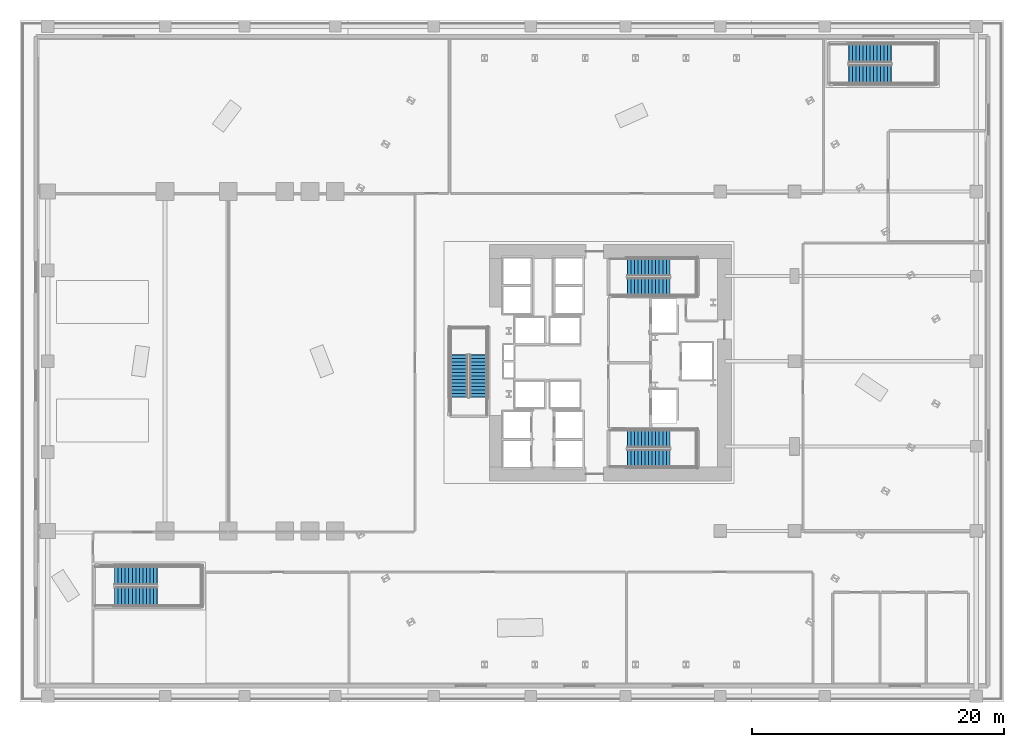
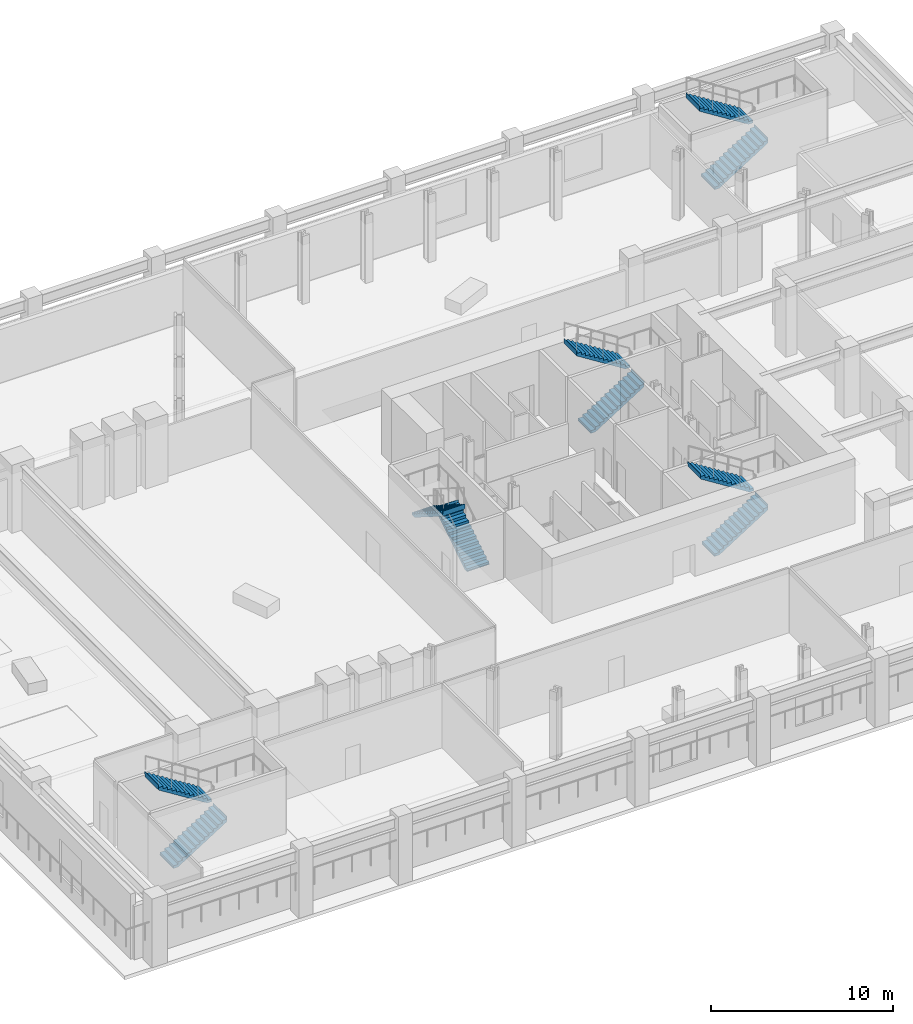
# One storey, part 8 of 18: 10 stair flights, 5 elements without a shape of their own.
"""IFC4 building model written with IfcOpenShell, lengths in metres."""

from ifc_helpers import new_model, si_unit, direction, frame, origin, place, context, subcontext, project, spatial, polyline, outline, extrude, material, type_object, element, aggregate, save


model = new_model("IFC4")

# Units and contexts
model_context = context("Model", 3, precision=1e-05, world=origin(), true_north=direction((0.0, 1.0)))
body_context = subcontext(model_context, "Body", "Model", "MODEL_VIEW")
ifc_project = project(units=[si_unit("LENGTHUNIT", "METRE"), si_unit("AREAUNIT", "SQUARE_METRE"), si_unit("VOLUMEUNIT", "CUBIC_METRE"), si_unit("PLANEANGLEUNIT", "RADIAN"), si_unit("MASSUNIT", "GRAM", prefix="KILO")], contexts=[model_context])

# Site, building, storey
site_placement = place(None, origin())
site = spatial("IfcSite", under=ifc_project, at=site_placement, CompositionType="ELEMENT")
building_placement = place(site_placement, origin())
building = spatial("IfcBuilding", under=site, at=building_placement, Name="Valkerne Bourse Tower", CompositionType="ELEMENT")
storey_placement = place(building_placement, frame((0.0, 0.0, 10.199951171875)))
storey = spatial("IfcBuildingStorey", under=building, at=storey_placement, Name="L02", CompositionType="ELEMENT", Elevation=10.199951171875)

# Stair, stair flights
ifc_material = material(Name="Concrete C40/50", Category="concrete")
stair_type_1 = type_object("IfcStairType", Name="ST-CORE-1400", PredefinedType="HALF_TURN_STAIR", material=ifc_material)
stair_1_placement = place(storey_placement, origin())
stair_1 = element("IfcStair", 1, at=stair_1_placement, inside=storey, type_object=stair_type_1, Name="L02 ST-1", PredefinedType="HALF_TURN_STAIR")
stair_flight_type_1 = type_object("IfcStairFlightType", Name="STF-CORE-1400", PredefinedType="STRAIGHT", material=ifc_material)
stair_flight_1_placement = place(storey_placement, frame((48.14990234375, 19.300048828125, 0.0), z_axis=(0.0, 0.0, 1.0), x_axis=(1.0, 0.0, 0.0)))
stair_flight_1 = element("IfcStairFlight", 2, at=stair_flight_1_placement, type_object=stair_flight_type_1, Name="ST-1 flight 1", NumberOfRisers=13, NumberOfTreads=12, PredefinedType="STRAIGHT", RiserHeight=0.176923077, TreadLength=0.28, context=body_context, shape_type="SweptSolid", body=[
    extrude(outline(polyline([(-0.02001953125, 0.0), (-0.02001953125, 0.044921875), (0.0, 0.044921875), (0.0, 0.177001953125), (0.280029296875, 0.177001953125), (0.280029296875, 0.353759765625), (0.56005859375, 0.353759765625), (0.56005859375, 0.53076171875), (0.840087890625, 0.53076171875), (0.840087890625, 0.707763671875), (1.1201171875, 0.707763671875), (1.1201171875, 0.884521484375), (1.39990234375, 0.884521484375), (1.39990234375, 1.0615234375), (1.679931640625, 1.0615234375), (1.679931640625, 1.238525390625), (1.9599609375, 1.238525390625), (1.9599609375, 1.415283203125), (2.239990234375, 1.415283203125), (2.239990234375, 1.59228515625), (2.52001953125, 1.59228515625), (2.52001953125, 1.769287109375), (2.800048828125, 1.769287109375), (2.800048828125, 1.946044921875), (3.080078125, 1.946044921875), (3.080078125, 2.123046875), (3.360107421875, 2.123046875), (3.360107421875, 2.300048828125), (3.3798828125, 2.300048828125), (3.3798828125, 2.179931640625), (3.360107421875, 1.94580078125), (0.280517578125, 0.0), (-0.02001953125, 0.0)])), frame((0.0, 0.699951171875, 0.0), z_axis=(0.0, -1.0, 0.0), x_axis=(1.0, 0.0, 0.0)), (0.0, 0.0, 1.0), 1.39990234375),
])
stair_flight_2_placement = place(storey_placement, frame((51.510009765625, 20.85009765625, 2.300048828125), z_axis=(0.0, 0.0, 1.0), x_axis=(-1.0, 0.0, 0.0)))
stair_flight_2 = element("IfcStairFlight", 3, at=stair_flight_2_placement, type_object=stair_flight_type_1, Name="ST-1 flight 2", NumberOfRisers=13, NumberOfTreads=12, PredefinedType="STRAIGHT", RiserHeight=0.176923077, TreadLength=0.28, context=body_context, shape_type="SweptSolid", body=[
    extrude(outline(polyline([(-0.02001953125, 0.0), (-0.02001953125, 0.044921875), (0.0, 0.044921875), (0.0, 0.177001953125), (0.280029296875, 0.177001953125), (0.280029296875, 0.353759765625), (0.56005859375, 0.353759765625), (0.56005859375, 0.53076171875), (0.840087890625, 0.53076171875), (0.840087890625, 0.707763671875), (1.1201171875, 0.707763671875), (1.1201171875, 0.884521484375), (1.39990234375, 0.884521484375), (1.39990234375, 1.0615234375), (1.679931640625, 1.0615234375), (1.679931640625, 1.238525390625), (1.9599609375, 1.238525390625), (1.9599609375, 1.415283203125), (2.239990234375, 1.415283203125), (2.239990234375, 1.59228515625), (2.52001953125, 1.59228515625), (2.52001953125, 1.769287109375), (2.800048828125, 1.769287109375), (2.800048828125, 1.946044921875), (3.080078125, 1.946044921875), (3.080078125, 2.123046875), (3.360107421875, 2.123046875), (3.360107421875, 2.300048828125), (3.3798828125, 2.300048828125), (3.3798828125, 2.179931640625), (3.360107421875, 1.94580078125), (0.280517578125, 0.0), (-0.02001953125, 0.0)])), frame((0.0, 0.699951171875, 0.0), z_axis=(0.0, -1.0, 0.0), x_axis=(1.0, 0.0, 0.0)), (0.0, 0.0, 1.0), 1.39990234375),
])
aggregate(stair_1, [stair_flight_1, stair_flight_2])

stair_2_placement = place(storey_placement, origin())
stair_2 = element("IfcStair", 4, at=stair_2_placement, inside=storey, type_object=stair_type_1, Name="L02 ST-2", PredefinedType="HALF_TURN_STAIR")
stair_flight_3_placement = place(storey_placement, frame((48.14990234375, 32.89990234375, 0.0), z_axis=(0.0, 0.0, 1.0), x_axis=(1.0, 0.0, 0.0)))
stair_flight_3 = element("IfcStairFlight", 5, at=stair_flight_3_placement, type_object=stair_flight_type_1, Name="ST-2 flight 1", NumberOfRisers=13, NumberOfTreads=12, PredefinedType="STRAIGHT", RiserHeight=0.176923077, TreadLength=0.28, context=body_context, shape_type="SweptSolid", body=[
    extrude(outline(polyline([(-0.02001953125, 0.0), (-0.02001953125, 0.044921875), (0.0, 0.044921875), (0.0, 0.177001953125), (0.280029296875, 0.177001953125), (0.280029296875, 0.353759765625), (0.56005859375, 0.353759765625), (0.56005859375, 0.53076171875), (0.840087890625, 0.53076171875), (0.840087890625, 0.707763671875), (1.1201171875, 0.707763671875), (1.1201171875, 0.884521484375), (1.39990234375, 0.884521484375), (1.39990234375, 1.0615234375), (1.679931640625, 1.0615234375), (1.679931640625, 1.238525390625), (1.9599609375, 1.238525390625), (1.9599609375, 1.415283203125), (2.239990234375, 1.415283203125), (2.239990234375, 1.59228515625), (2.52001953125, 1.59228515625), (2.52001953125, 1.769287109375), (2.800048828125, 1.769287109375), (2.800048828125, 1.946044921875), (3.080078125, 1.946044921875), (3.080078125, 2.123046875), (3.360107421875, 2.123046875), (3.360107421875, 2.300048828125), (3.3798828125, 2.300048828125), (3.3798828125, 2.179931640625), (3.360107421875, 1.94580078125), (0.280517578125, 0.0), (-0.02001953125, 0.0)])), frame((0.0, 0.699951171875, 0.0), z_axis=(0.0, -1.0, 0.0), x_axis=(1.0, 0.0, 0.0)), (0.0, 0.0, 1.0), 1.39990234375),
])
stair_flight_4_placement = place(storey_placement, frame((51.510009765625, 34.449951171875, 2.300048828125), z_axis=(0.0, 0.0, 1.0), x_axis=(-1.0, 0.0, 0.0)))
stair_flight_4 = element("IfcStairFlight", 6, at=stair_flight_4_placement, type_object=stair_flight_type_1, Name="ST-2 flight 2", NumberOfRisers=13, NumberOfTreads=12, PredefinedType="STRAIGHT", RiserHeight=0.176923077, TreadLength=0.28, context=body_context, shape_type="SweptSolid", body=[
    extrude(outline(polyline([(-0.02001953125, 0.0), (-0.02001953125, 0.044921875), (0.0, 0.044921875), (0.0, 0.177001953125), (0.280029296875, 0.177001953125), (0.280029296875, 0.353759765625), (0.56005859375, 0.353759765625), (0.56005859375, 0.53076171875), (0.840087890625, 0.53076171875), (0.840087890625, 0.707763671875), (1.1201171875, 0.707763671875), (1.1201171875, 0.884521484375), (1.39990234375, 0.884521484375), (1.39990234375, 1.0615234375), (1.679931640625, 1.0615234375), (1.679931640625, 1.238525390625), (1.9599609375, 1.238525390625), (1.9599609375, 1.415283203125), (2.239990234375, 1.415283203125), (2.239990234375, 1.59228515625), (2.52001953125, 1.59228515625), (2.52001953125, 1.769287109375), (2.800048828125, 1.769287109375), (2.800048828125, 1.946044921875), (3.080078125, 1.946044921875), (3.080078125, 2.123046875), (3.360107421875, 2.123046875), (3.360107421875, 2.300048828125), (3.3798828125, 2.300048828125), (3.3798828125, 2.179931640625), (3.360107421875, 1.94580078125), (0.280517578125, 0.0), (-0.02001953125, 0.0)])), frame((0.0, 0.699951171875, 0.0), z_axis=(0.0, -1.0, 0.0), x_axis=(1.0, 0.0, 0.0)), (0.0, 0.0, 1.0), 1.39990234375),
])
aggregate(stair_2, [stair_flight_3, stair_flight_4])

stair_3_placement = place(storey_placement, origin())
stair_3 = element("IfcStair", 7, at=stair_3_placement, inside=storey, type_object=stair_type_1, Name="L02 ST-3", PredefinedType="HALF_TURN_STAIR")
stair_flight_5_placement = place(storey_placement, frame((36.35009765625, 24.14990234375, 0.0), z_axis=(0.0, 0.0, 1.0), x_axis=(0.0, 1.0, 0.0)))
stair_flight_5 = element("IfcStairFlight", 8, at=stair_flight_5_placement, type_object=stair_flight_type_1, Name="ST-3 flight 1", NumberOfRisers=13, NumberOfTreads=12, PredefinedType="STRAIGHT", RiserHeight=0.176923077, TreadLength=0.28, context=body_context, shape_type="SweptSolid", body=[
    extrude(outline(polyline([(-0.02001953125, 0.0), (-0.02001953125, 0.044921875), (0.0, 0.044921875), (0.0, 0.177001953125), (0.280029296875, 0.177001953125), (0.280029296875, 0.353759765625), (0.56005859375, 0.353759765625), (0.56005859375, 0.53076171875), (0.840087890625, 0.53076171875), (0.840087890625, 0.707763671875), (1.1201171875, 0.707763671875), (1.1201171875, 0.884521484375), (1.39990234375, 0.884521484375), (1.39990234375, 1.0615234375), (1.679931640625, 1.0615234375), (1.679931640625, 1.238525390625), (1.9599609375, 1.238525390625), (1.9599609375, 1.415283203125), (2.239990234375, 1.415283203125), (2.239990234375, 1.59228515625), (2.52001953125, 1.59228515625), (2.52001953125, 1.769287109375), (2.800048828125, 1.769287109375), (2.800048828125, 1.946044921875), (3.080078125, 1.946044921875), (3.080078125, 2.123046875), (3.360107421875, 2.123046875), (3.360107421875, 2.300048828125), (3.3798828125, 2.300048828125), (3.3798828125, 2.179931640625), (3.360107421875, 1.94580078125), (0.280517578125, 0.0), (-0.02001953125, 0.0)])), frame((0.0, 0.699951171875, 0.0), z_axis=(0.0, -1.0, 0.0), x_axis=(1.0, 0.0, 0.0)), (0.0, 0.0, 1.0), 1.39990234375),
])
stair_flight_6_placement = place(storey_placement, frame((34.800048828125, 27.510009765625, 2.300048828125), z_axis=(0.0, 0.0, 1.0), x_axis=(0.0, -1.0, 0.0)))
stair_flight_6 = element("IfcStairFlight", 9, at=stair_flight_6_placement, type_object=stair_flight_type_1, Name="ST-3 flight 2", NumberOfRisers=13, NumberOfTreads=12, PredefinedType="STRAIGHT", RiserHeight=0.176923077, TreadLength=0.28, context=body_context, shape_type="SweptSolid", body=[
    extrude(outline(polyline([(-0.02001953125, 0.0), (-0.02001953125, 0.044921875), (0.0, 0.044921875), (0.0, 0.177001953125), (0.280029296875, 0.177001953125), (0.280029296875, 0.353759765625), (0.56005859375, 0.353759765625), (0.56005859375, 0.53076171875), (0.840087890625, 0.53076171875), (0.840087890625, 0.707763671875), (1.1201171875, 0.707763671875), (1.1201171875, 0.884521484375), (1.39990234375, 0.884521484375), (1.39990234375, 1.0615234375), (1.679931640625, 1.0615234375), (1.679931640625, 1.238525390625), (1.9599609375, 1.238525390625), (1.9599609375, 1.415283203125), (2.239990234375, 1.415283203125), (2.239990234375, 1.59228515625), (2.52001953125, 1.59228515625), (2.52001953125, 1.769287109375), (2.800048828125, 1.769287109375), (2.800048828125, 1.946044921875), (3.080078125, 1.946044921875), (3.080078125, 2.123046875), (3.360107421875, 2.123046875), (3.360107421875, 2.300048828125), (3.3798828125, 2.300048828125), (3.3798828125, 2.179931640625), (3.360107421875, 1.94580078125), (0.280517578125, 0.0), (-0.02001953125, 0.0)])), frame((0.0, 0.699951171875, 0.0), z_axis=(0.0, -1.0, 0.0), x_axis=(1.0, 0.0, 0.0)), (0.0, 0.0, 1.0), 1.39990234375),
])
aggregate(stair_3, [stair_flight_5, stair_flight_6])

stair_type_2 = type_object("IfcStairType", Name="ST-POD-1500", PredefinedType="HALF_TURN_STAIR", material=ifc_material)
stair_4_placement = place(storey_placement, origin())
stair_4 = element("IfcStair", 10, at=stair_4_placement, inside=storey, type_object=stair_type_2, Name="L02 ST-P1", PredefinedType="HALF_TURN_STAIR")
stair_flight_type_2 = type_object("IfcStairFlightType", Name="STF-POD-1500", PredefinedType="STRAIGHT", material=ifc_material)
stair_flight_7_placement = place(storey_placement, frame((7.5, 8.35009765625, 0.0), z_axis=(0.0, 0.0, 1.0), x_axis=(1.0, 0.0, 0.0)))
stair_flight_7 = element("IfcStairFlight", 11, at=stair_flight_7_placement, type_object=stair_flight_type_2, Name="ST-P1 flight 1", NumberOfRisers=13, NumberOfTreads=12, PredefinedType="STRAIGHT", RiserHeight=0.176923077, TreadLength=0.28, context=body_context, shape_type="SweptSolid", body=[
    extrude(outline(polyline([(-0.02001953125, 0.0), (-0.02001953125, 0.044921875), (0.0, 0.044921875), (0.0, 0.177001953125), (0.280029296875, 0.177001953125), (0.280029296875, 0.353759765625), (0.56005859375, 0.353759765625), (0.56005859375, 0.53076171875), (0.840087890625, 0.53076171875), (0.840087890625, 0.707763671875), (1.1201171875, 0.707763671875), (1.1201171875, 0.884521484375), (1.39990234375, 0.884521484375), (1.39990234375, 1.0615234375), (1.679931640625, 1.0615234375), (1.679931640625, 1.238525390625), (1.9599609375, 1.238525390625), (1.9599609375, 1.415283203125), (2.239990234375, 1.415283203125), (2.239990234375, 1.59228515625), (2.52001953125, 1.59228515625), (2.52001953125, 1.769287109375), (2.800048828125, 1.769287109375), (2.800048828125, 1.946044921875), (3.080078125, 1.946044921875), (3.080078125, 2.123046875), (3.360107421875, 2.123046875), (3.360107421875, 2.300048828125), (3.3798828125, 2.300048828125), (3.3798828125, 2.179931640625), (3.360107421875, 1.94580078125), (0.280517578125, 0.0), (-0.02001953125, 0.0)])), frame((0.0, 0.75, 0.0), z_axis=(0.0, -1.0, 0.0), x_axis=(1.0, 0.0, 0.0)), (0.0, 0.0, 1.0), 1.5),
])
stair_flight_8_placement = place(storey_placement, frame((10.860107421875, 10.0, 2.300048828125), z_axis=(0.0, 0.0, 1.0), x_axis=(-1.0, 0.0, 0.0)))
stair_flight_8 = element("IfcStairFlight", 12, at=stair_flight_8_placement, type_object=stair_flight_type_2, Name="ST-P1 flight 2", NumberOfRisers=13, NumberOfTreads=12, PredefinedType="STRAIGHT", RiserHeight=0.176923077, TreadLength=0.28, context=body_context, shape_type="SweptSolid", body=[
    extrude(outline(polyline([(-0.02001953125, 0.0), (-0.02001953125, 0.044921875), (0.0, 0.044921875), (0.0, 0.177001953125), (0.280029296875, 0.177001953125), (0.280029296875, 0.353759765625), (0.56005859375, 0.353759765625), (0.56005859375, 0.53076171875), (0.840087890625, 0.53076171875), (0.840087890625, 0.707763671875), (1.1201171875, 0.707763671875), (1.1201171875, 0.884521484375), (1.39990234375, 0.884521484375), (1.39990234375, 1.0615234375), (1.679931640625, 1.0615234375), (1.679931640625, 1.238525390625), (1.9599609375, 1.238525390625), (1.9599609375, 1.415283203125), (2.239990234375, 1.415283203125), (2.239990234375, 1.59228515625), (2.52001953125, 1.59228515625), (2.52001953125, 1.769287109375), (2.800048828125, 1.769287109375), (2.800048828125, 1.946044921875), (3.080078125, 1.946044921875), (3.080078125, 2.123046875), (3.360107421875, 2.123046875), (3.360107421875, 2.300048828125), (3.3798828125, 2.300048828125), (3.3798828125, 2.179931640625), (3.360107421875, 1.94580078125), (0.280517578125, 0.0), (-0.02001953125, 0.0)])), frame((0.0, 0.75, 0.0), z_axis=(0.0, -1.0, 0.0), x_axis=(1.0, 0.0, 0.0)), (0.0, 0.0, 1.0), 1.5),
])
aggregate(stair_4, [stair_flight_7, stair_flight_8])

stair_5_placement = place(storey_placement, origin())
stair_5 = element("IfcStair", 13, at=stair_5_placement, inside=storey, type_object=stair_type_2, Name="L02 ST-P2", PredefinedType="HALF_TURN_STAIR")
stair_flight_9_placement = place(storey_placement, frame((65.699951171875, 49.75, 0.0), z_axis=(0.0, 0.0, 1.0), x_axis=(1.0, 0.0, 0.0)))
stair_flight_9 = element("IfcStairFlight", 14, at=stair_flight_9_placement, type_object=stair_flight_type_2, Name="ST-P2 flight 1", NumberOfRisers=13, NumberOfTreads=12, PredefinedType="STRAIGHT", RiserHeight=0.176923077, TreadLength=0.28, context=body_context, shape_type="SweptSolid", body=[
    extrude(outline(polyline([(-0.02001953125, 0.0), (-0.02001953125, 0.044921875), (0.0, 0.044921875), (0.0, 0.177001953125), (0.280029296875, 0.177001953125), (0.280029296875, 0.353759765625), (0.56005859375, 0.353759765625), (0.56005859375, 0.53076171875), (0.840087890625, 0.53076171875), (0.840087890625, 0.707763671875), (1.1201171875, 0.707763671875), (1.1201171875, 0.884521484375), (1.39990234375, 0.884521484375), (1.39990234375, 1.0615234375), (1.679931640625, 1.0615234375), (1.679931640625, 1.238525390625), (1.9599609375, 1.238525390625), (1.9599609375, 1.415283203125), (2.239990234375, 1.415283203125), (2.239990234375, 1.59228515625), (2.52001953125, 1.59228515625), (2.52001953125, 1.769287109375), (2.800048828125, 1.769287109375), (2.800048828125, 1.946044921875), (3.080078125, 1.946044921875), (3.080078125, 2.123046875), (3.360107421875, 2.123046875), (3.360107421875, 2.300048828125), (3.3798828125, 2.300048828125), (3.3798828125, 2.179931640625), (3.360107421875, 1.94580078125), (0.280517578125, 0.0), (-0.02001953125, 0.0)])), frame((0.0, 0.75, 0.0), z_axis=(0.0, -1.0, 0.0), x_axis=(1.0, 0.0, 0.0)), (0.0, 0.0, 1.0), 1.5),
])
stair_flight_10_placement = place(storey_placement, frame((69.06005859375, 51.39990234375, 2.300048828125), z_axis=(0.0, 0.0, 1.0), x_axis=(-1.0, 0.0, 0.0)))
stair_flight_10 = element("IfcStairFlight", 15, at=stair_flight_10_placement, type_object=stair_flight_type_2, Name="ST-P2 flight 2", NumberOfRisers=13, NumberOfTreads=12, PredefinedType="STRAIGHT", RiserHeight=0.176923077, TreadLength=0.28, context=body_context, shape_type="SweptSolid", body=[
    extrude(outline(polyline([(-0.02001953125, 0.0), (-0.02001953125, 0.044921875), (0.0, 0.044921875), (0.0, 0.177001953125), (0.280029296875, 0.177001953125), (0.280029296875, 0.353759765625), (0.56005859375, 0.353759765625), (0.56005859375, 0.53076171875), (0.840087890625, 0.53076171875), (0.840087890625, 0.707763671875), (1.1201171875, 0.707763671875), (1.1201171875, 0.884521484375), (1.39990234375, 0.884521484375), (1.39990234375, 1.0615234375), (1.679931640625, 1.0615234375), (1.679931640625, 1.238525390625), (1.9599609375, 1.238525390625), (1.9599609375, 1.415283203125), (2.239990234375, 1.415283203125), (2.239990234375, 1.59228515625), (2.52001953125, 1.59228515625), (2.52001953125, 1.769287109375), (2.800048828125, 1.769287109375), (2.800048828125, 1.946044921875), (3.080078125, 1.946044921875), (3.080078125, 2.123046875), (3.360107421875, 2.123046875), (3.360107421875, 2.300048828125), (3.3798828125, 2.300048828125), (3.3798828125, 2.179931640625), (3.360107421875, 1.94580078125), (0.280517578125, 0.0), (-0.02001953125, 0.0)])), frame((0.0, 0.75, 0.0), z_axis=(0.0, -1.0, 0.0), x_axis=(1.0, 0.0, 0.0)), (0.0, 0.0, 1.0), 1.5),
])
aggregate(stair_5, [stair_flight_9, stair_flight_10])

save(model, "model.ifc")
